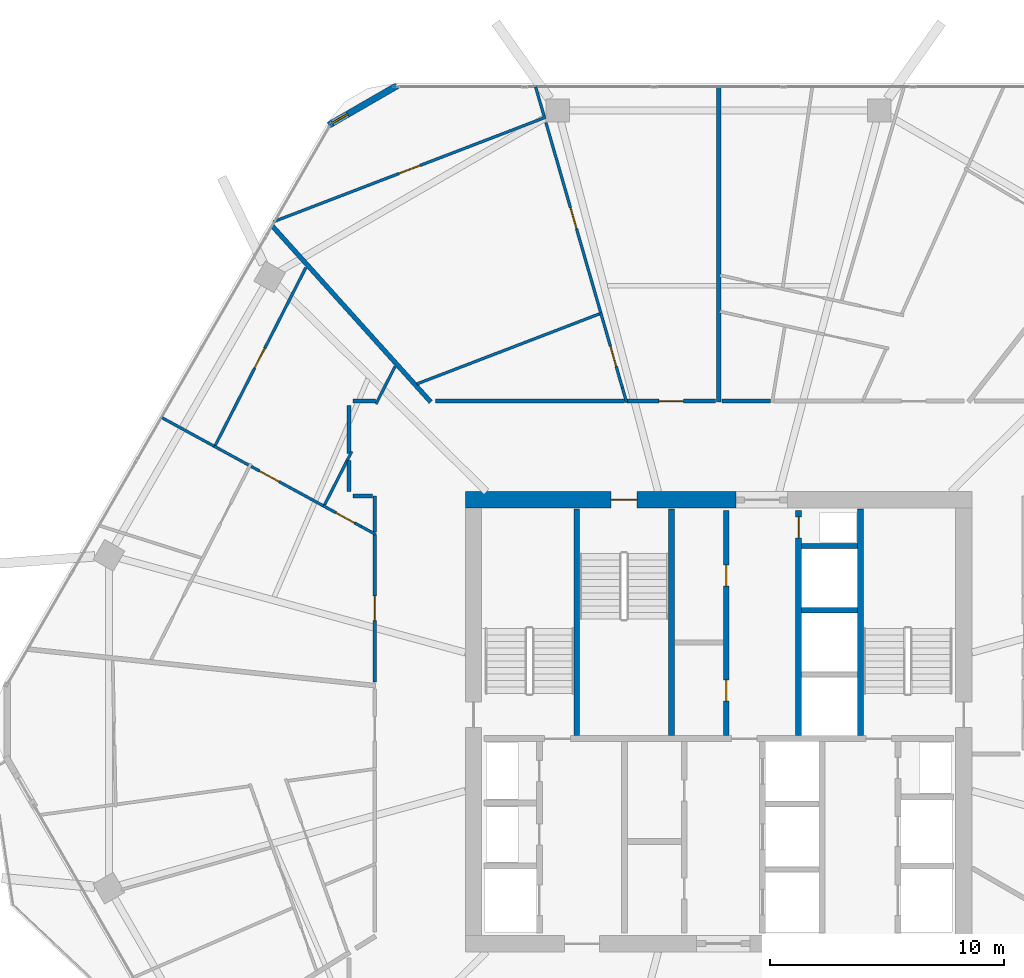
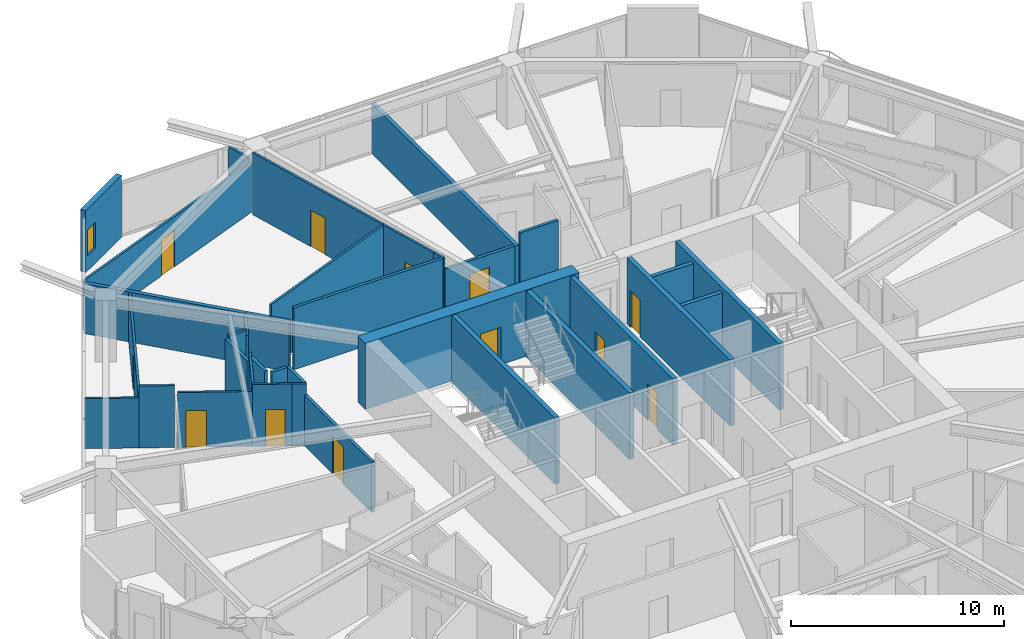
# One storey, part 21 of 26: 34 walls, 12 doors, 1 window, 13 openings.
"""IFC4 building model written with IfcOpenShell, lengths in metres."""

from ifc_helpers import new_model, si_unit, direction, frame, frame_2d, origin, place, context, subcontext, project, spatial, rectangle, extrude, material, layer, layer_set, type_object, element, fill, save


model = new_model("IFC4")

# Units and contexts
model_context = context("Model", 3, precision=1e-05, world=origin(), true_north=direction((0.0, 1.0)))
body_context = subcontext(model_context, "Body", "Model", "MODEL_VIEW")
ifc_project = project(units=[si_unit("LENGTHUNIT", "METRE"), si_unit("AREAUNIT", "SQUARE_METRE"), si_unit("VOLUMEUNIT", "CUBIC_METRE"), si_unit("PLANEANGLEUNIT", "RADIAN"), si_unit("MASSUNIT", "GRAM", prefix="KILO")], contexts=[model_context])

# Site, building, storey
site_placement = place(None, origin())
site = spatial("IfcSite", under=ifc_project, at=site_placement, CompositionType="ELEMENT")
building_placement = place(site_placement, origin())
building = spatial("IfcBuilding", under=site, at=building_placement, Name="Zuhravey Tower", CompositionType="ELEMENT")
storey_placement = place(building_placement, frame((0.0, 0.0, 158.0)))
storey = spatial("IfcBuildingStorey", under=building, at=storey_placement, Name="L39", CompositionType="ELEMENT", Elevation=158.0)

# Wall, opening, door
ifc_material_1 = material(Name="Concrete C60/75", Category="concrete")
ifc_layer_1 = layer(ifc_material_1, 0.699951171875)
ifc_layer_set_1 = layer_set([ifc_layer_1], Name="Concrete C60/75")
wall_type_1 = type_object("IfcWallType", Name="Core Shear Wall 700", PredefinedType="SHEAR", material=ifc_layer_set_1)
wall_1_placement = place(storey_placement, frame((36.75, 41.5, 0.0), z_axis=(0.0, 0.0, 1.0), x_axis=(-1.0, 0.0, 0.0)))
wall_1 = element("IfcWall", 1, at=wall_1_placement, inside=storey, type_object=wall_type_1, Name="L39 North-West Core Shear Wall CW70", PredefinedType="SHEAR", context=body_context, shape_type="SweptSolid", body=[
    extrude(rectangle(XDim=11.60009765625, YDim=0.699951171875, at=frame_2d((5.800048828125, 0.0))), origin(), (0.0, 0.0, 1.0), 3.800048828125),
])
opening_1_placement = place(wall_1_placement, frame((4.25, 0.0, 0.0)))
opening_1 = element("IfcOpeningElement", 2, at=opening_1_placement, cuts=wall_1, Name="Opening STD1", PredefinedType="OPENING", context=body_context, shape_type="SweptSolid", body=[
    extrude(rectangle(XDim=1.10009765625, YDim=2.14990234375, at=frame_2d((0.550048828125, 1.074951171875))), frame((0.0, 0.362060546875, 0.0), z_axis=(0.0, -1.0, 0.0), x_axis=(1.0, 0.0, 0.0)), (0.0, 0.0, 1.0), 0.723876953125),
])
ifc_material_2 = material(Name="Galvanised fire-rated steel leaf", Category="steel")
door_type_1 = type_object("IfcDoorType", Name="Protected Stair Fire Door 1100x2150", OperationType="NOTDEFINED", PredefinedType="USERDEFINED", material=ifc_material_2)
door_1_placement = place(opening_1_placement, origin())
door_1 = element("IfcDoor", 3, at=door_1_placement, inside=storey, type_object=door_type_1, Name="L39 Stair ST3 Door", ObjectType="EXITDOOR", OperationType="SINGLE_SWING_LEFT", OverallHeight=2.14990234375, OverallWidth=1.10009765625, PredefinedType="USERDEFINED", context=body_context, shape_type="SweptSolid", body=[
    extrude(rectangle(XDim=1.10009765625, YDim=2.14990234375, at=frame_2d((0.550048828125, 1.074951171875))), frame((0.0, 0.02490234375, 0.0), z_axis=(0.0, -1.0, 0.0), x_axis=(1.0, 0.0, 0.0)), (0.0, 0.0, 1.0), 0.050048828125),
])
fill(opening_1, door_1)

ifc_material_3 = material(Name="Gypsum fire-rated stud partition")
ifc_layer_2 = layer(ifc_material_3, 0.159912109375)
ifc_layer_set_2 = layer_set([ifc_layer_2], Name="Gypsum fire-rated stud partition")
wall_type_2 = type_object("IfcWallType", Name="Corridor Fire Partition 160", PredefinedType="PARTITIONING", material=ifc_layer_set_2)
wall_2_placement = place(storey_placement, frame((35.860107421875, 45.72998046875, 0.0), z_axis=(0.0, 0.0, 1.0), x_axis=(-1.0, 0.0, 0.0)))
wall_2 = element("IfcWall", 4, at=wall_2_placement, inside=storey, type_object=wall_type_2, Name="L39 IW16 Partition 031", PredefinedType="PARTITIONING", context=body_context, shape_type="SweptSolid", body=[
    extrude(rectangle(XDim=3.797119140625, YDim=0.159912109375, at=frame_2d((1.8984375, 0.0))), origin(), (0.0, 0.0, 1.0), 2.89990234375),
])
opening_2_placement = place(wall_2_placement, frame((1.37353515625, 0.0, 0.0)))
opening_2 = element("IfcOpeningElement", 5, at=opening_2_placement, cuts=wall_2, Name="Opening APD1", PredefinedType="OPENING", context=body_context, shape_type="SweptSolid", body=[
    extrude(rectangle(XDim=1.050048828125, YDim=2.14990234375, at=frame_2d((0.52490234375, 1.074951171875))), frame((0.0, 0.092041015625, 0.0), z_axis=(0.0, -1.0, 0.0), x_axis=(1.0, 0.0, 0.0)), (0.0, 0.0, 1.0), 0.183837890625),
])
ifc_material_4 = material(Name="Solid-core oak fire-rated leaf")
door_type_2 = type_object("IfcDoorType", Name="Apartment Entrance Fire Door 1050x2150", OperationType="NOTDEFINED", PredefinedType="DOOR", material=ifc_material_4)
door_2_placement = place(opening_2_placement, frame((1.050048828125, 0.0, 0.0), z_axis=(0.0, 0.0, 1.0), x_axis=(-1.0, 0.0, 0.0)))
door_2 = element("IfcDoor", 6, at=door_2_placement, inside=storey, type_object=door_type_2, Name="L39 Door 031.1", OperationType="SINGLE_SWING_RIGHT", OverallHeight=2.14990234375, OverallWidth=1.050048828125, PredefinedType="DOOR", context=body_context, shape_type="SweptSolid", body=[
    extrude(rectangle(XDim=1.050048828125, YDim=2.14990234375, at=frame_2d((0.52490234375, 1.074951171875))), frame((0.0, 0.02490234375, 0.0), z_axis=(0.0, -1.0, 0.0), x_axis=(1.0, 0.0, 0.0)), (0.0, 0.0, 1.0), 0.050048828125),
])
fill(opening_2, door_2)

wall_3_placement = place(storey_placement, frame((21.27001953125, 40.021484375, 0.0), z_axis=(0.0, 0.0, 1.0), x_axis=(0.0, -1.0, 0.0)))
wall_3 = element("IfcWall", 7, at=wall_3_placement, inside=storey, type_object=wall_type_2, Name="L39 IW16 Partition 037", PredefinedType="PARTITIONING", context=body_context, shape_type="SweptSolid", body=[
    extrude(rectangle(XDim=6.322998046875, YDim=0.159912109375, at=frame_2d((3.16162109375, 0.0))), origin(), (0.0, 0.0, 1.0), 2.89990234375),
])
opening_3_placement = place(wall_3_placement, frame((2.63671875, 0.0, 0.0)))
opening_3 = element("IfcOpeningElement", 8, at=opening_3_placement, cuts=wall_3, Name="Opening APD1", PredefinedType="OPENING", context=body_context, shape_type="SweptSolid", body=[
    extrude(rectangle(XDim=1.050048828125, YDim=2.14990234375, at=frame_2d((0.52490234375, 1.074951171875))), frame((0.0, 0.092041015625, 0.0), z_axis=(0.0, -1.0, 0.0), x_axis=(1.0, 0.0, 0.0)), (0.0, 0.0, 1.0), 0.183837890625),
])
door_3_placement = place(opening_3_placement, frame((1.050048828125, 0.0, 0.0), z_axis=(0.0, 0.0, 1.0), x_axis=(-1.0, 0.0, 0.0)))
door_3 = element("IfcDoor", 9, at=door_3_placement, inside=storey, type_object=door_type_2, Name="L39 Door 037.1", OperationType="SINGLE_SWING_RIGHT", OverallHeight=2.14990234375, OverallWidth=1.050048828125, PredefinedType="DOOR", context=body_context, shape_type="SweptSolid", body=[
    extrude(rectangle(XDim=1.050048828125, YDim=2.14990234375, at=frame_2d((0.52490234375, 1.074951171875))), frame((0.0, 0.02490234375, 0.0), z_axis=(0.0, -1.0, 0.0), x_axis=(1.0, 0.0, 0.0)), (0.0, 0.0, 1.0), 0.050048828125),
])
fill(opening_3, door_3)

# Walls
wall_4_placement = place(storey_placement, frame((38.228271484375, 45.72998046875, 0.0), z_axis=(0.0, 0.0, 1.0), x_axis=(-1.0, 0.0, 0.0)))
element("IfcWall", 10, at=wall_4_placement, inside=storey, type_object=wall_type_2, Name="L39 IW16 Partition 116", PredefinedType="PARTITIONING", context=body_context, shape_type="SweptSolid", body=[
    extrude(rectangle(XDim=2.08837890625, YDim=0.159912109375, at=frame_2d((1.044189453125, 0.0))), origin(), (0.0, 0.0, 1.0), 3.550048828125),
])
wall_5_placement = place(storey_placement, frame((31.971435546875, 45.72998046875, 0.0), z_axis=(0.0, 0.0, 1.0), x_axis=(-1.0, 0.0, 0.0)))
element("IfcWall", 11, at=wall_5_placement, inside=storey, type_object=wall_type_2, Name="L39 IW16 Partition 117", PredefinedType="PARTITIONING", context=body_context, shape_type="SweptSolid", body=[
    extrude(rectangle(XDim=8.092041015625, YDim=0.159912109375, at=frame_2d((4.0458984375, 0.0))), origin(), (0.0, 0.0, 1.0), 3.550048828125),
])
wall_6_placement = place(storey_placement, frame((21.27001953125, 41.669921875, 0.0), z_axis=(0.0, 0.0, 1.0), x_axis=(0.0, -1.0, 0.0)))
element("IfcWall", 12, at=wall_6_placement, inside=storey, type_object=wall_type_2, Name="L39 IW16 Partition 118", PredefinedType="PARTITIONING", context=body_context, shape_type="SweptSolid", body=[
    extrude(rectangle(XDim=1.548095703125, YDim=0.159912109375, at=frame_2d((0.77392578125, 0.0))), origin(), (0.0, 0.0, 1.0), 3.550048828125),
])
wall_7_placement = place(storey_placement, frame((20.169921875, 43.1865234375, 0.0), z_axis=(0.0, 0.0, 1.0), x_axis=(0.0, -1.0, 0.0)))
element("IfcWall", 13, at=wall_7_placement, inside=storey, type_object=wall_type_2, Name="L39 IW16 Partition 119", PredefinedType="PARTITIONING", context=body_context, shape_type="SweptSolid", body=[
    extrude(rectangle(XDim=1.33642578125, YDim=0.159912109375, at=frame_2d((0.668212890625, 0.0))), origin(), (0.0, 0.0, 1.0), 3.550048828125),
])
wall_8_placement = place(storey_placement, frame((20.35009765625, 41.669921875, 0.0), z_axis=(0.0, 0.0, 1.0), x_axis=(1.0, 0.0, 0.0)))
element("IfcWall", 14, at=wall_8_placement, inside=storey, type_object=wall_type_2, Name="L39 IW16 Partition 120", PredefinedType="PARTITIONING", context=body_context, shape_type="SweptSolid", body=[
    extrude(rectangle(XDim=0.831787109375, YDim=0.159912109375, at=frame_2d((0.416015625, 0.0))), origin(), (0.0, 0.0, 1.0), 3.550048828125),
])
wall_9_placement = place(storey_placement, frame((20.169921875, 45.550048828125, 0.0), z_axis=(0.0, 0.0, 1.0), x_axis=(0.0, -1.0, 0.0)))
element("IfcWall", 15, at=wall_9_placement, inside=storey, type_object=wall_type_2, Name="L39 IW16 Partition 121", PredefinedType="PARTITIONING", context=body_context, shape_type="SweptSolid", body=[
    extrude(rectangle(XDim=2.06396484375, YDim=0.159912109375, at=frame_2d((1.031982421875, 0.0))), origin(), (0.0, 0.0, 1.0), 3.14990234375),
])
wall_10_placement = place(storey_placement, frame((21.313232421875, 45.72998046875, 0.0), z_axis=(0.0, 0.0, 1.0), x_axis=(-1.0, 0.0, 0.0)))
element("IfcWall", 16, at=wall_10_placement, inside=storey, type_object=wall_type_2, Name="L39 IW16 Partition 122", PredefinedType="PARTITIONING", context=body_context, shape_type="SweptSolid", body=[
    extrude(rectangle(XDim=0.963134765625, YDim=0.159912109375, at=frame_2d((0.4814453125, 0.0))), origin(), (0.0, 0.0, 1.0), 3.14990234375),
])

# Wall, opening, window
ifc_material_5 = material(Name="Precast concrete C40/50", Category="concrete")
ifc_layer_3 = layer(ifc_material_5, 0.280029296875)
ifc_layer_set_3 = layer_set([ifc_layer_3], Name="Precast concrete C40/50")
wall_type_3 = type_object("IfcWallType", Name="Crown Architectural Wall 280", PredefinedType="SOLIDWALL", material=ifc_layer_set_3)
wall_11_placement = place(storey_placement, frame((19.306884765625, 57.548095703125, 0.0), z_axis=(0.0, 0.0, 1.0), x_axis=(0.866020068361, 0.500009241111, 0.0)))
wall_11 = element("IfcWall", 17, at=wall_11_placement, inside=storey, type_object=wall_type_3, Name="L39 Rounded Corner Closure Wall EW28-08", PredefinedType="SOLIDWALL", context=body_context, shape_type="SweptSolid", body=[
    extrude(rectangle(XDim=3.365234375, YDim=0.280029296875, at=frame_2d((1.6826171875, 0.0))), origin(), (0.0, 0.0, 1.0), 3.550048828125),
])
opening_4_placement = place(wall_11_placement, frame((0.17919921875, 0.0, 0.85009765625)))
opening_4 = element("IfcOpeningElement", 18, at=opening_4_placement, cuts=wall_11, Name="Opening WN5", PredefinedType="OPENING", context=body_context, shape_type="SweptSolid", body=[
    extrude(rectangle(XDim=0.75, YDim=1.5, at=frame_2d((0.375, 0.75))), frame((0.0, 0.152099609375, 0.0), z_axis=(0.0, -1.0, 0.0), x_axis=(1.0, 0.0, 0.0)), (0.0, 0.0, 1.0), 0.303955078125),
])
ifc_material_6 = material(Name="Thermally broken aluminium and triple low-E glass", Category="aluminium")
window_type = type_object("IfcWindowType", Name="Residential Corner Casement Window 750x1500", PartitioningType="SINGLE_PANEL", PredefinedType="WINDOW", material=ifc_material_6)
window_placement = place(opening_4_placement, origin())
window = element("IfcWindow", 19, at=window_placement, inside=storey, type_object=window_type, Name="L39 Corner Casement Window WN5-08.1", OverallHeight=1.5, OverallWidth=0.75, PartitioningType="SINGLE_PANEL", PredefinedType="WINDOW", context=body_context, shape_type="SweptSolid", body=[
    extrude(rectangle(XDim=0.75, YDim=1.5, at=frame_2d((0.375, 0.75))), frame((0.0, 0.030029296875, 0.0), z_axis=(0.0, -1.0, 0.0), x_axis=(1.0, 0.0, 0.0)), (0.0, 0.0, 1.0), 0.06005859375),
])
fill(opening_4, window)

# Walls
ifc_material_7 = material(Name="Concrete C50/60", Category="concrete")
ifc_layer_4 = layer(ifc_material_7, 0.25)
ifc_layer_set_4 = layer_set([ifc_layer_4], Name="Concrete C50/60")
wall_type_4 = type_object("IfcWallType", Name="Firefighting Shaft & Stair Wall 250", PredefinedType="SOLIDWALL", material=ifc_layer_set_4)
for number, where, z_axis, x_axis, name in (
    (20, (29.925048828125, 31.39990234375, 0.0), (0.0, 0.0, 1.0), (0.0, 1.0, 0.0), "L39 FW25 Shaft Wall 004"),
    (21, (33.97509765625, 31.39990234375, 0.0), (0.0, 0.0, 1.0), (0.0, 1.0, 0.0), "L39 FW25 Shaft Wall 005"),
    (22, (42.074951171875, 31.39990234375, 0.0), (0.0, 0.0, 1.0), (0.0, 1.0, 0.0), "L39 FW25 Shaft Wall 006"),
):
    element("IfcWall", number, at=place(storey_placement, frame(where, z_axis=z_axis, x_axis=x_axis)), inside=storey, type_object=wall_type_4, Name=name, PredefinedType="SOLIDWALL", context=body_context, shape_type="SweptSolid", body=[
        extrude(rectangle(XDim=9.7001953125, YDim=0.25, at=frame_2d((4.85009765625, 0.0))), origin(), (0.0, 0.0, 1.0), 3.800048828125),
    ])

# Wall, openings, doors
wall_12_placement = place(storey_placement, frame((36.324951171875, 31.39990234375, 0.0), z_axis=(0.0, 0.0, 1.0), x_axis=(0.0, 1.0, 0.0)))
wall_12 = element("IfcWall", 23, at=wall_12_placement, inside=storey, type_object=wall_type_4, Name="L39 FW25 Shaft Wall 007", PredefinedType="SOLIDWALL", context=body_context, shape_type="SweptSolid", body=[
    extrude(rectangle(XDim=9.650146484375, YDim=0.25, at=frame_2d((4.8251953125, 0.0))), origin(), (0.0, 0.0, 1.0), 3.800048828125),
])
opening_5_placement = place(wall_12_placement, frame((1.489990234375, 0.0, 0.0)))
opening_5 = element("IfcOpeningElement", 24, at=opening_5_placement, cuts=wall_12, Name="Opening RSD1", PredefinedType="OPENING", context=body_context, shape_type="SweptSolid", body=[
    extrude(rectangle(XDim=0.89990234375, YDim=2.10009765625, at=frame_2d((0.449951171875, 1.050048828125))), frame((0.0, 0.136962890625, 0.0), z_axis=(0.0, -1.0, 0.0), x_axis=(1.0, 0.0, 0.0)), (0.0, 0.0, 1.0), 0.27392578125),
])
opening_6_placement = place(wall_12_placement, frame((6.409912109375, 0.0, 0.0)))
opening_6 = element("IfcOpeningElement", 25, at=opening_6_placement, cuts=wall_12, Name="Opening RSD1", PredefinedType="OPENING", context=body_context, shape_type="SweptSolid", body=[
    extrude(rectangle(XDim=0.89990234375, YDim=2.10009765625, at=frame_2d((0.449951171875, 1.050048828125))), frame((0.0, 0.136962890625, 0.0), z_axis=(0.0, -1.0, 0.0), x_axis=(1.0, 0.0, 0.0)), (0.0, 0.0, 1.0), 0.27392578125),
])
ifc_material_8 = material(Name="Galvanised fire-rated steel access leaf", Category="steel")
door_type_3 = type_object("IfcDoorType", Name="Riser & Shaft Access Fire Door 900x2100", OperationType="NOTDEFINED", PredefinedType="DOOR", material=ifc_material_8)
door_4_placement = place(opening_5_placement, origin())
door_4 = element("IfcDoor", 26, at=door_4_placement, inside=storey, type_object=door_type_3, Name="L39 Core Cleaner Store Door", OperationType="SINGLE_SWING_LEFT", OverallHeight=2.10009765625, OverallWidth=0.89990234375, PredefinedType="DOOR", context=body_context, shape_type="SweptSolid", body=[
    extrude(rectangle(XDim=0.89990234375, YDim=2.10009765625, at=frame_2d((0.449951171875, 1.050048828125))), frame((0.0, 0.02490234375, 0.0), z_axis=(0.0, -1.0, 0.0), x_axis=(1.0, 0.0, 0.0)), (0.0, 0.0, 1.0), 0.050048828125),
])
fill(opening_5, door_4)
door_5_placement = place(opening_6_placement, origin())
door_5 = element("IfcDoor", 27, at=door_5_placement, inside=storey, type_object=door_type_3, Name="L39 Core Pantry and Tea Room Door", OperationType="SINGLE_SWING_RIGHT", OverallHeight=2.10009765625, OverallWidth=0.89990234375, PredefinedType="DOOR", context=body_context, shape_type="SweptSolid", body=[
    extrude(rectangle(XDim=0.89990234375, YDim=2.10009765625, at=frame_2d((0.449951171875, 1.050048828125))), frame((0.0, 0.02490234375, 0.0), z_axis=(0.0, -1.0, 0.0), x_axis=(1.0, 0.0, 0.0)), (0.0, 0.0, 1.0), 0.050048828125),
])
fill(opening_6, door_5)

# Wall, opening, door
wall_13_placement = place(storey_placement, frame((39.425048828125, 31.39990234375, 0.0), z_axis=(0.0, 0.0, 1.0), x_axis=(0.0, 1.0, 0.0)))
wall_13 = element("IfcWall", 28, at=wall_13_placement, inside=storey, type_object=wall_type_4, Name="L39 FW25 Shaft Wall 008", PredefinedType="SOLIDWALL", context=body_context, shape_type="SweptSolid", body=[
    extrude(rectangle(XDim=9.650146484375, YDim=0.25, at=frame_2d((4.8251953125, 0.0))), origin(), (0.0, 0.0, 1.0), 3.800048828125),
])
opening_7_placement = place(wall_13_placement, frame((8.469970703125, 0.0, 0.0)))
opening_7 = element("IfcOpeningElement", 29, at=opening_7_placement, cuts=wall_13, Name="Opening RSD1", PredefinedType="OPENING", context=body_context, shape_type="SweptSolid", body=[
    extrude(rectangle(XDim=0.89990234375, YDim=2.10009765625, at=frame_2d((0.449951171875, 1.050048828125))), frame((0.0, 0.136962890625, 0.0), z_axis=(0.0, -1.0, 0.0), x_axis=(1.0, 0.0, 0.0)), (0.0, 0.0, 1.0), 0.27392578125),
])
door_6_placement = place(opening_7_placement, origin())
door_6 = element("IfcDoor", 30, at=door_6_placement, inside=storey, type_object=door_type_3, Name="L39 North Riser Door", OperationType="SINGLE_SWING_LEFT", OverallHeight=2.10009765625, OverallWidth=0.89990234375, PredefinedType="DOOR", context=body_context, shape_type="SweptSolid", body=[
    extrude(rectangle(XDim=0.89990234375, YDim=2.10009765625, at=frame_2d((0.449951171875, 1.050048828125))), frame((0.0, 0.02490234375, 0.0), z_axis=(0.0, -1.0, 0.0), x_axis=(1.0, 0.0, 0.0)), (0.0, 0.0, 1.0), 0.050048828125),
])
fill(opening_7, door_6)

# Walls
ifc_material_9 = material(Name="Gypsum double-stud party assembly")
ifc_layer_5 = layer(ifc_material_9, 0.199951171875)
ifc_layer_set_5 = layer_set([ifc_layer_5], Name="Gypsum double-stud party assembly")
wall_type_5 = type_object("IfcWallType", Name="Inter-Tenancy Party Wall 200", PredefinedType="PARTITIONING", material=ifc_layer_set_5)
wall_14_placement = place(storey_placement, frame((36.0, 45.68994140625, 0.0), z_axis=(0.0, 0.0, 1.0), x_axis=(0.0, 1.0, 0.0)))
element("IfcWall", 31, at=wall_14_placement, inside=storey, type_object=wall_type_5, Name="L39 IW20 Partition 075", PredefinedType="PARTITIONING", context=body_context, shape_type="SweptSolid", body=[
    extrude(rectangle(XDim=13.4931640625, YDim=0.199951171875, at=frame_2d((6.74658203125, 0.0))), origin(), (0.0, 0.0, 1.0), 2.8701171875),
])
wall_15_placement = place(storey_placement, frame((23.673583984375, 45.68994140625, 0.0), z_axis=(0.0, 0.0, 1.0), x_axis=(-0.669133315117, 0.743142386492, 0.0)))
element("IfcWall", 32, at=wall_15_placement, inside=storey, type_object=wall_type_5, Name="L39 IW20 Partition 079", PredefinedType="PARTITIONING", context=body_context, shape_type="SweptSolid", body=[
    extrude(rectangle(XDim=10.160400390625, YDim=0.199951171875, at=frame_2d((5.080078125, 0.0))), origin(), (0.0, 0.0, 1.0), 2.8701171875),
])
ifc_material_10 = material(Name="Gypsum acoustic stud assembly")
ifc_layer_6 = layer(ifc_material_10, 0.219970703125)
ifc_layer_set_6 = layer_set([ifc_layer_6], Name="Gypsum acoustic stud assembly")
wall_type_6 = type_object("IfcWallType", Name="School Acoustic Compartment Wall 220", PredefinedType="PARTITIONING", material=ifc_layer_set_6)
for number, where, z_axis, x_axis, name in (
    (33, (39.55810546875, 36.77490234375, 0.0), (0.0, 0.0, 1.0), (1.0, 0.0, 0.0), "L39 IW22 Partition 058"),
    (34, (39.55810546875, 39.52490234375, 0.0), (0.0, 0.0, 1.0), (1.0, 0.0, 0.0), "L39 IW22 Partition 059"),
):
    element("IfcWall", number, at=place(storey_placement, frame(where, z_axis=z_axis, x_axis=x_axis)), inside=storey, type_object=wall_type_6, Name=name, PredefinedType="PARTITIONING", context=body_context, shape_type="SweptSolid", body=[
        extrude(rectangle(XDim=2.3837890625, YDim=0.219970703125, at=frame_2d((1.19189453125, 0.0))), origin(), (0.0, 0.0, 1.0), 3.550048828125),
    ])

# Wall, opening, door
ifc_material_11 = material(Name="Gypsum metal-stud partition")
ifc_layer_7 = layer(ifc_material_11, 0.1201171875)
ifc_layer_set_7 = layer_set([ifc_layer_7], Name="Gypsum metal-stud partition")
wall_type_7 = type_object("IfcWallType", Name="Unit Internal Partition 120", PredefinedType="PARTITIONING", material=ifc_layer_set_7)
wall_16_placement = place(storey_placement, frame((31.8779296875, 46.300048828125, 0.0), z_axis=(0.0, 0.0, 1.0), x_axis=(-0.276948054291, 0.960884891766, 0.0)))
wall_16 = element("IfcWall", 35, at=wall_16_placement, inside=storey, type_object=wall_type_7, Name="L39 IW12 Partition 028", PredefinedType="PARTITIONING", context=body_context, shape_type="SweptSolid", body=[
    extrude(rectangle(XDim=3.34375, YDim=0.1201171875, at=frame_2d((1.671875, 0.0))), origin(), (0.0, 0.0, 1.0), 3.550048828125),
])
opening_8_placement = place(wall_16_placement, frame((0.954345703125, 0.0, 0.0)))
opening_8 = element("IfcOpeningElement", 36, at=opening_8_placement, cuts=wall_16, Name="Opening WCD1", PredefinedType="OPENING", context=body_context, shape_type="SweptSolid", body=[
    extrude(rectangle(XDim=0.89990234375, YDim=2.10009765625, at=frame_2d((0.449951171875, 1.050048828125))), frame((0.0, 0.072021484375, 0.0), z_axis=(0.0, -1.0, 0.0), x_axis=(1.0, 0.0, 0.0)), (0.0, 0.0, 1.0), 0.14404296875),
])
ifc_material_12 = material(Name="Moisture-resistant timber leaf", Category="wood")
door_type_4 = type_object("IfcDoorType", Name="Bathroom & WC Internal Door 900x2100", OperationType="NOTDEFINED", PredefinedType="DOOR", material=ifc_material_12)
door_7_placement = place(opening_8_placement, origin())
door_7 = element("IfcDoor", 37, at=door_7_placement, inside=storey, type_object=door_type_4, Name="Apartment L39-03 Bathroom Door", OperationType="SINGLE_SWING_LEFT", OverallHeight=2.10009765625, OverallWidth=0.89990234375, PredefinedType="DOOR", context=body_context, shape_type="SweptSolid", body=[
    extrude(rectangle(XDim=0.89990234375, YDim=2.10009765625, at=frame_2d((0.449951171875, 1.050048828125))), frame((0.0, 0.02490234375, 0.0), z_axis=(0.0, -1.0, 0.0), x_axis=(1.0, 0.0, 0.0)), (0.0, 0.0, 1.0), 0.050048828125),
])
fill(opening_8, door_7)

wall_17_placement = place(storey_placement, frame((30.95166015625, 49.512939453125, 0.0), z_axis=(0.0, 0.0, 1.0), x_axis=(-0.276962142179, 0.960880831217, 0.0)))
wall_17 = element("IfcWall", 38, at=wall_17_placement, inside=storey, type_object=wall_type_7, Name="L39 IW12 Partition 029", PredefinedType="PARTITIONING", context=body_context, shape_type="SweptSolid", body=[
    extrude(rectangle(XDim=8.471923828125, YDim=0.1201171875, at=frame_2d((4.23583984375, 0.0))), origin(), (0.0, 0.0, 1.0), 3.550048828125),
])
opening_9_placement = place(wall_17_placement, frame((3.736083984375, 0.0, 0.0)))
opening_9 = element("IfcOpeningElement", 39, at=opening_9_placement, cuts=wall_17, Name="Opening IND1", PredefinedType="OPENING", context=body_context, shape_type="SweptSolid", body=[
    extrude(rectangle(XDim=0.949951171875, YDim=2.10009765625, at=frame_2d((0.47509765625, 1.050048828125))), frame((0.0, 0.072021484375, 0.0), z_axis=(0.0, -1.0, 0.0), x_axis=(1.0, 0.0, 0.0)), (0.0, 0.0, 1.0), 0.14404296875),
])
ifc_material_13 = material(Name="Painted engineered timber leaf", Category="wood")
door_type_5 = type_object("IfcDoorType", Name="Internal Room & Bedroom Door 950x2100", OperationType="NOTDEFINED", PredefinedType="DOOR", material=ifc_material_13)
door_8_placement = place(opening_9_placement, origin())
door_8 = element("IfcDoor", 40, at=door_8_placement, inside=storey, type_object=door_type_5, Name="Apartment L39-03 Home Office Door", OperationType="SINGLE_SWING_RIGHT", OverallHeight=2.10009765625, OverallWidth=0.949951171875, PredefinedType="DOOR", context=body_context, shape_type="SweptSolid", body=[
    extrude(rectangle(XDim=0.949951171875, YDim=2.10009765625, at=frame_2d((0.47509765625, 1.050048828125))), frame((0.0, 0.02490234375, 0.0), z_axis=(0.0, -1.0, 0.0), x_axis=(1.0, 0.0, 0.0)), (0.0, 0.0, 1.0), 0.050048828125),
])
fill(opening_9, door_8)

wall_18_placement = place(storey_placement, frame((28.597900390625, 57.886474609375, 0.0), z_axis=(0.0, 0.0, 1.0), x_axis=(-0.933574508077, -0.358383367177, 0.0)))
wall_18 = element("IfcWall", 41, at=wall_18_placement, inside=storey, type_object=wall_type_7, Name="L39 IW12 Partition 030", PredefinedType="PARTITIONING", context=body_context, shape_type="SweptSolid", body=[
    extrude(rectangle(XDim=12.4970703125, YDim=0.1201171875, at=frame_2d((6.24853515625, 0.0))), origin(), (0.0, 0.0, 1.0), 2.8701171875),
])
opening_10_placement = place(wall_18_placement, frame((5.7734375, 0.0, 0.0)))
opening_10 = element("IfcOpeningElement", 42, at=opening_10_placement, cuts=wall_18, Name="Opening IND1", PredefinedType="OPENING", context=body_context, shape_type="SweptSolid", body=[
    extrude(rectangle(XDim=0.949951171875, YDim=2.10009765625, at=frame_2d((0.47509765625, 1.050048828125))), frame((0.0, 0.072021484375, 0.0), z_axis=(0.0, -1.0, 0.0), x_axis=(1.0, 0.0, 0.0)), (0.0, 0.0, 1.0), 0.14404296875),
])
door_9_placement = place(opening_10_placement, frame((0.949951171875, 0.0, 0.0), z_axis=(0.0, 0.0, 1.0), x_axis=(-1.0, 0.0, 0.0)))
door_9 = element("IfcDoor", 43, at=door_9_placement, inside=storey, type_object=door_type_5, Name="Apartment L39-03 Bedroom 1 Door", OperationType="SINGLE_SWING_LEFT", OverallHeight=2.10009765625, OverallWidth=0.949951171875, PredefinedType="DOOR", context=body_context, shape_type="SweptSolid", body=[
    extrude(rectangle(XDim=0.949951171875, YDim=2.10009765625, at=frame_2d((0.47509765625, 1.050048828125))), frame((0.0, 0.02490234375, 0.0), z_axis=(0.0, -1.0, 0.0), x_axis=(1.0, 0.0, 0.0)), (0.0, 0.0, 1.0), 0.050048828125),
])
fill(opening_10, door_9)

wall_19_placement = place(storey_placement, frame((20.699951171875, 40.355712890625, 0.0), z_axis=(0.0, 0.0, 1.0), x_axis=(-0.877673715659, 0.479258645035, 0.0)))
wall_19 = element("IfcWall", 44, at=wall_19_placement, inside=storey, type_object=wall_type_7, Name="L39 IW12 Partition 033", PredefinedType="PARTITIONING", context=body_context, shape_type="SweptSolid", body=[
    extrude(rectangle(XDim=1.851318359375, YDim=0.1201171875, at=frame_2d((0.92578125, 0.0))), origin(), (0.0, 0.0, 1.0), 3.550048828125),
])
opening_11_placement = place(wall_19_placement, frame((0.327392578125, 0.0, 0.0)))
opening_11 = element("IfcOpeningElement", 45, at=opening_11_placement, cuts=wall_19, Name="Opening WCD1", PredefinedType="OPENING", context=body_context, shape_type="SweptSolid", body=[
    extrude(rectangle(XDim=0.89990234375, YDim=2.10009765625, at=frame_2d((0.449951171875, 1.050048828125))), frame((0.0, 0.072021484375, 0.0), z_axis=(0.0, -1.0, 0.0), x_axis=(1.0, 0.0, 0.0)), (0.0, 0.0, 1.0), 0.14404296875),
])
door_10_placement = place(opening_11_placement, frame((0.89990234375, 0.0, 0.0), z_axis=(0.0, 0.0, 1.0), x_axis=(-1.0, 0.0, 0.0)))
door_10 = element("IfcDoor", 46, at=door_10_placement, inside=storey, type_object=door_type_4, Name="Apartment L39-04 Bathroom Door", OperationType="SINGLE_SWING_LEFT", OverallHeight=2.10009765625, OverallWidth=0.89990234375, PredefinedType="DOOR", context=body_context, shape_type="SweptSolid", body=[
    extrude(rectangle(XDim=0.89990234375, YDim=2.10009765625, at=frame_2d((0.449951171875, 1.050048828125))), frame((0.0, 0.02490234375, 0.0), z_axis=(0.0, -1.0, 0.0), x_axis=(1.0, 0.0, 0.0)), (0.0, 0.0, 1.0), 0.050048828125),
])
fill(opening_11, door_10)

wall_20_placement = place(storey_placement, frame((19.0751953125, 41.242919921875, 0.0), z_axis=(0.0, 0.0, 1.0), x_axis=(-0.877641033672, 0.479318491209, 0.0)))
wall_20 = element("IfcWall", 47, at=wall_20_placement, inside=storey, type_object=wall_type_7, Name="L39 IW12 Partition 034", PredefinedType="PARTITIONING", context=body_context, shape_type="SweptSolid", body=[
    extrude(rectangle(XDim=3.5205078125, YDim=0.1201171875, at=frame_2d((1.76025390625, 0.0))), origin(), (0.0, 0.0, 1.0), 3.14990234375),
])
opening_12_placement = place(wall_20_placement, frame((2.1640625, 0.0, 0.0)))
opening_12 = element("IfcOpeningElement", 48, at=opening_12_placement, cuts=wall_20, Name="Opening IND1", PredefinedType="OPENING", context=body_context, shape_type="SweptSolid", body=[
    extrude(rectangle(XDim=0.949951171875, YDim=2.10009765625, at=frame_2d((0.47509765625, 1.050048828125))), frame((0.0, 0.072021484375, 0.0), z_axis=(0.0, -1.0, 0.0), x_axis=(1.0, 0.0, 0.0)), (0.0, 0.0, 1.0), 0.14404296875),
])
door_11_placement = place(opening_12_placement, frame((0.949951171875, 0.0, 0.0), z_axis=(0.0, 0.0, 1.0), x_axis=(-1.0, 0.0, 0.0)))
door_11 = element("IfcDoor", 49, at=door_11_placement, inside=storey, type_object=door_type_5, Name="Apartment L39-04 Home Office Door", OperationType="SINGLE_SWING_RIGHT", OverallHeight=2.10009765625, OverallWidth=0.949951171875, PredefinedType="DOOR", context=body_context, shape_type="SweptSolid", body=[
    extrude(rectangle(XDim=0.949951171875, YDim=2.10009765625, at=frame_2d((0.47509765625, 1.050048828125))), frame((0.0, 0.02490234375, 0.0), z_axis=(0.0, -1.0, 0.0), x_axis=(1.0, 0.0, 0.0)), (0.0, 0.0, 1.0), 0.050048828125),
])
fill(opening_12, door_11)

# Wall
wall_21_placement = place(storey_placement, frame((15.865966796875, 42.99560546875, 0.0), z_axis=(0.0, 0.0, 1.0), x_axis=(-0.877627518141, 0.479343237567, 0.0)))
element("IfcWall", 50, at=wall_21_placement, inside=storey, type_object=wall_type_7, Name="L39 IW12 Partition 035", PredefinedType="PARTITIONING", context=body_context, shape_type="SweptSolid", body=[
    extrude(rectangle(XDim=1.671630859375, YDim=0.1201171875, at=frame_2d((0.8359375, 0.0))), origin(), (0.0, 0.0, 1.0), 3.550048828125),
])

# Wall, opening, door
wall_22_placement = place(storey_placement, frame((18.32177734375, 51.4404296875, 0.0), z_axis=(0.0, 0.0, 1.0), x_axis=(-0.453994428703, -0.891004522271, 0.0)))
wall_22 = element("IfcWall", 51, at=wall_22_placement, inside=storey, type_object=wall_type_7, Name="L39 IW12 Partition 036", PredefinedType="PARTITIONING", context=body_context, shape_type="SweptSolid", body=[
    extrude(rectangle(XDim=8.524169921875, YDim=0.1201171875, at=frame_2d((4.26220703125, 0.0))), origin(), (0.0, 0.0, 1.0), 2.89990234375),
])
opening_13_placement = place(wall_22_placement, frame((3.87109375, 0.0, 0.0)))
opening_13 = element("IfcOpeningElement", 52, at=opening_13_placement, cuts=wall_22, Name="Opening IND1", PredefinedType="OPENING", context=body_context, shape_type="SweptSolid", body=[
    extrude(rectangle(XDim=0.949951171875, YDim=2.10009765625, at=frame_2d((0.47509765625, 1.050048828125))), frame((0.0, 0.072021484375, 0.0), z_axis=(0.0, -1.0, 0.0), x_axis=(1.0, 0.0, 0.0)), (0.0, 0.0, 1.0), 0.14404296875),
])
door_12_placement = place(opening_13_placement, frame((0.949951171875, 0.0, 0.0), z_axis=(0.0, 0.0, 1.0), x_axis=(-1.0, 0.0, 0.0)))
door_12 = element("IfcDoor", 53, at=door_12_placement, inside=storey, type_object=door_type_5, Name="Apartment L39-04 Bedroom 1 Door", OperationType="SINGLE_SWING_LEFT", OverallHeight=2.10009765625, OverallWidth=0.949951171875, PredefinedType="DOOR", context=body_context, shape_type="SweptSolid", body=[
    extrude(rectangle(XDim=0.949951171875, YDim=2.10009765625, at=frame_2d((0.47509765625, 1.050048828125))), frame((0.0, 0.02490234375, 0.0), z_axis=(0.0, -1.0, 0.0), x_axis=(1.0, 0.0, 0.0)), (0.0, 0.0, 1.0), 0.050048828125),
])
fill(opening_13, door_12)

# Walls
wall_23_placement = place(storey_placement, frame((32.054931640625, 45.68603515625, 0.0), z_axis=(0.0, 0.0, 1.0), x_axis=(-0.276991075919, 0.960872490948, 0.0)))
element("IfcWall", 54, at=wall_23_placement, inside=storey, type_object=wall_type_7, Name="L39 IW12 Partition 076", PredefinedType="PARTITIONING", context=body_context, shape_type="SweptSolid", body=[
    extrude(rectangle(XDim=0.638916015625, YDim=0.1201171875, at=frame_2d((0.3193359375, 0.0))), origin(), (0.0, 0.0, 1.0), 3.550048828125),
])
wall_24_placement = place(storey_placement, frame((28.525146484375, 57.931396484375, 0.0), z_axis=(0.0, 0.0, 1.0), x_axis=(-0.277038020614, 0.960858956941, 0.0)))
element("IfcWall", 55, at=wall_24_placement, inside=storey, type_object=wall_type_7, Name="L39 IW12 Partition 077", PredefinedType="PARTITIONING", context=body_context, shape_type="SweptSolid", body=[
    extrude(rectangle(XDim=1.307861328125, YDim=0.1201171875, at=frame_2d((0.65380859375, 0.0))), origin(), (0.0, 0.0, 1.0), 3.1220703125),
])
wall_25_placement = place(storey_placement, frame((30.89501953125, 49.464599609375, 0.0), z_axis=(0.0, 0.0, 1.0), x_axis=(-0.933572192245, -0.358389399769, 0.0)))
element("IfcWall", 56, at=wall_25_placement, inside=storey, type_object=wall_type_7, Name="L39 IW12 Partition 078", PredefinedType="PARTITIONING", context=body_context, shape_type="SweptSolid", body=[
    extrude(rectangle(XDim=8.379638671875, YDim=0.1201171875, at=frame_2d((4.18994140625, 0.0))), origin(), (0.0, 0.0, 1.0), 3.550048828125),
])
wall_26_placement = place(storey_placement, frame((21.311767578125, 40.021484375, 0.0), z_axis=(0.0, 0.0, 1.0), x_axis=(-0.877587577205, 0.479416358018, 0.0)))
element("IfcWall", 57, at=wall_26_placement, inside=storey, type_object=wall_type_7, Name="L39 IW12 Partition 081", PredefinedType="PARTITIONING", context=body_context, shape_type="SweptSolid", body=[
    extrude(rectangle(XDim=0.697265625, YDim=0.1201171875, at=frame_2d((0.3486328125, 0.0))), origin(), (0.0, 0.0, 1.0), 3.550048828125),
])
wall_27_placement = place(storey_placement, frame((14.39892578125, 43.796875, 0.0), z_axis=(0.0, 0.0, 1.0), x_axis=(-0.877682394772, 0.4792427505, 0.0)))
element("IfcWall", 58, at=wall_27_placement, inside=storey, type_object=wall_type_7, Name="L39 IW12 Partition 082", PredefinedType="PARTITIONING", context=body_context, shape_type="SweptSolid", body=[
    extrude(rectangle(XDim=2.583251953125, YDim=0.1201171875, at=frame_2d((1.29150390625, 0.0))), origin(), (0.0, 0.0, 1.0), 2.8701171875),
])
wall_28_placement = place(storey_placement, frame((22.1494140625, 47.22119140625, 0.0), z_axis=(0.0, 0.0, 1.0), x_axis=(-0.453952076252, -0.891026100889, 0.0)))
element("IfcWall", 59, at=wall_28_placement, inside=storey, type_object=wall_type_7, Name="L39 IW12 Partition 083", PredefinedType="PARTITIONING", context=body_context, shape_type="SweptSolid", body=[
    extrude(rectangle(XDim=1.80810546875, YDim=0.1201171875, at=frame_2d((0.904052734375, 0.0))), origin(), (0.0, 0.0, 1.0), 2.89990234375),
])
wall_29_placement = place(storey_placement, frame((20.2900390625, 43.57177734375, 0.0), z_axis=(0.0, 0.0, 1.0), x_axis=(-0.453992946101, -0.891005277701, 0.0)))
element("IfcWall", 60, at=wall_29_placement, inside=storey, type_object=wall_type_7, Name="L39 IW12 Partition 084", PredefinedType="PARTITIONING", context=body_context, shape_type="SweptSolid", body=[
    extrude(rectangle(XDim=2.559326171875, YDim=0.1201171875, at=frame_2d((1.27978515625, 0.0))), origin(), (0.0, 0.0, 1.0), 3.550048828125),
])

save(model, "model.ifc")
